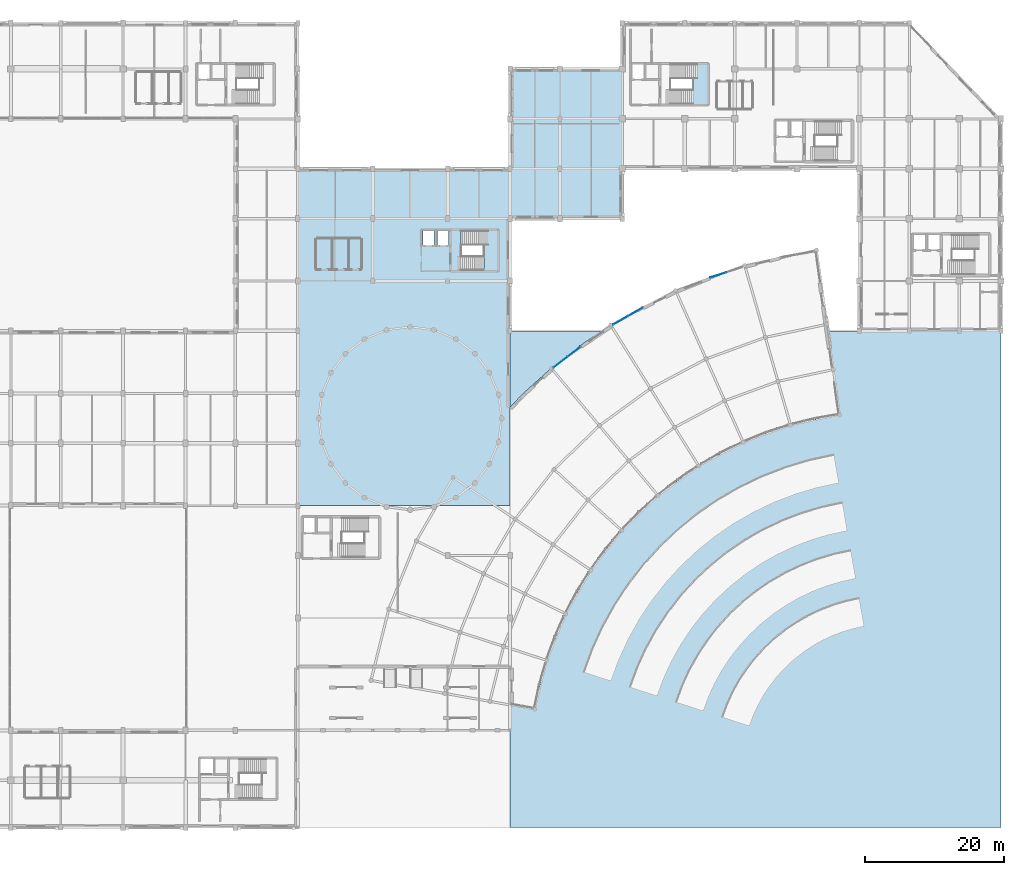
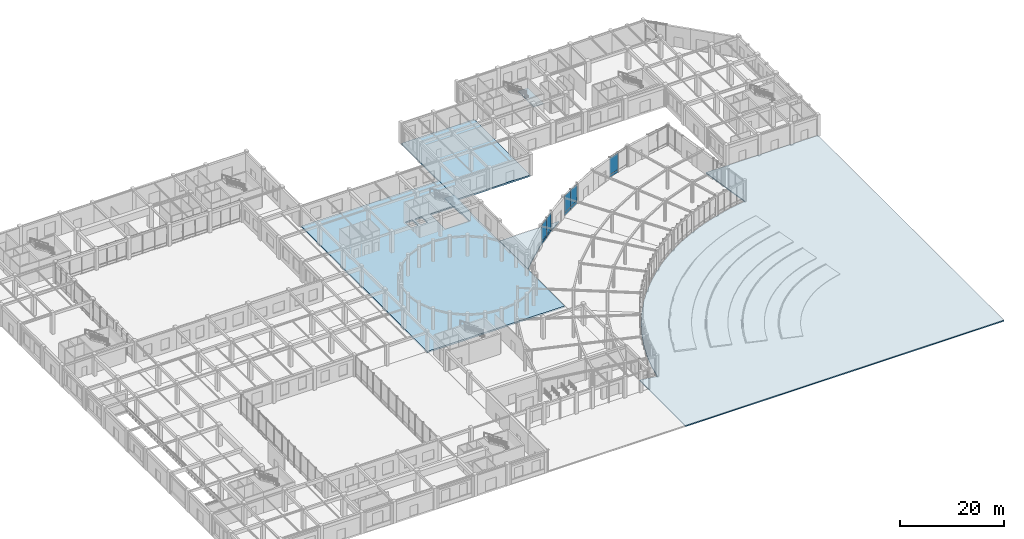
# One storey, part 42 of 64: 10 plates, 6 slabs, 5 elements without a shape of their own.
"""IFC4 building model written with IfcOpenShell, lengths in metres."""

from ifc_helpers import new_model, si_unit, direction, frame, frame_2d, origin, place, context, subcontext, project, spatial, polyline, rectangle, outline, extrude, material, layer, layer_set, type_object, element, aggregate, save


model = new_model("IFC4")

# Units and contexts
model_context = context("Model", 3, precision=1e-05, world=origin(), true_north=direction((0.0, 1.0)))
body_context = subcontext(model_context, "Body", "Model", "MODEL_VIEW")
ifc_project = project(units=[si_unit("LENGTHUNIT", "METRE"), si_unit("AREAUNIT", "SQUARE_METRE"), si_unit("VOLUMEUNIT", "CUBIC_METRE"), si_unit("PLANEANGLEUNIT", "RADIAN"), si_unit("MASSUNIT", "GRAM", prefix="KILO")], contexts=[model_context])

# Site, building, storey
site_placement = place(None, origin())
site = spatial("IfcSite", under=ifc_project, at=site_placement, CompositionType="ELEMENT")
building_placement = place(site_placement, origin())
building = spatial("IfcBuilding", under=site, at=building_placement, Name="Clarverna Civic Hall", CompositionType="ELEMENT")
storey_placement = place(building_placement, origin())
storey = spatial("IfcBuildingStorey", under=building, at=storey_placement, Name="L00", CompositionType="ELEMENT", Elevation=0.0)

# Curtain wall, plates
ifc_material_1 = material(Name="Anodised Bronze Architectural Aluminium", Category="aluminium")
curtain_wall_type = type_object("IfcCurtainWallType", Name="CW-03", PredefinedType="USERDEFINED", material=ifc_material_1)
curtain_wall_1_placement = place(storey_placement, origin())
curtain_wall_1 = element("IfcCurtainWall", 1, at=curtain_wall_1_placement, inside=storey, type_object=curtain_wall_type, Name="CW-03-001", ObjectType="UNITISED CURTAIN WALL", PredefinedType="USERDEFINED")
ifc_material_2 = material(Name="Solar-Control Argon Low-E Double Glazing", Category="glass")
ifc_layer_1 = layer(ifc_material_2, 0.031982421875)
ifc_layer_set_1 = layer_set([ifc_layer_1], Name="Solar-Control Argon Low-E Double Glazing")
plate_type_1 = type_object("IfcPlateType", Name="CWP-01", PredefinedType="CURTAIN_PANEL", material=ifc_layer_set_1)
plate_1_placement = place(storey_placement, frame((103.52587890625, 66.3369140625, 0.764892578125), z_axis=(0.0, 0.0, 1.0), x_axis=(0.787996937553, 0.615679158659, 0.0)))
plate_1 = element("IfcPlate", 2, at=plate_1_placement, type_object=plate_type_1, Name="CWP-01-001", PredefinedType="CURTAIN_PANEL", context=body_context, shape_type="SweptSolid", body=[
    extrude(rectangle(XDim=2.428466796875, YDim=0.031982421875, at=frame_2d((1.21435546875, 0.0))), origin(), (0.0, 0.0, 1.0), 3.905029296875),
])
plate_2_placement = place(storey_placement, frame((105.463134765625, 67.850341796875, 0.764892578125), z_axis=(0.0, 0.0, 1.0), x_axis=(0.787996937553, 0.615679158659, 0.0)))
plate_2 = element("IfcPlate", 3, at=plate_2_placement, type_object=plate_type_1, Name="CWP-01-002", PredefinedType="CURTAIN_PANEL", context=body_context, shape_type="SweptSolid", body=[
    extrude(rectangle(XDim=2.428466796875, YDim=0.031982421875, at=frame_2d((1.21435546875, 0.0))), origin(), (0.0, 0.0, 1.0), 3.905029296875),
])

curtain_wall_2_placement = place(storey_placement, origin())
curtain_wall_2 = element("IfcCurtainWall", 4, at=curtain_wall_2_placement, inside=storey, type_object=curtain_wall_type, Name="CW-03-002", ObjectType="UNITISED CURTAIN WALL", PredefinedType="USERDEFINED")
plate_3_placement = place(storey_placement, frame((112.107666015625, 72.510498046875, 0.764892578125), z_axis=(0.0, 0.0, 1.0), x_axis=(0.866055271361, 0.499948264271, 0.0)))
plate_3 = element("IfcPlate", 5, at=plate_3_placement, type_object=plate_type_1, Name="CWP-01-003", PredefinedType="CURTAIN_PANEL", context=body_context, shape_type="SweptSolid", body=[
    extrude(rectangle(XDim=2.433349609375, YDim=0.031982421875, at=frame_2d((1.216796875, 0.0))), origin(), (0.0, 0.0, 1.0), 3.905029296875),
])
plate_4_placement = place(storey_placement, frame((114.2412109375, 73.7421875, 0.764892578125), z_axis=(0.0, 0.0, 1.0), x_axis=(0.866055271361, 0.499948264271, 0.0)))
plate_4 = element("IfcPlate", 6, at=plate_4_placement, type_object=plate_type_1, Name="CWP-01-004", PredefinedType="CURTAIN_PANEL", context=body_context, shape_type="SweptSolid", body=[
    extrude(rectangle(XDim=2.433349609375, YDim=0.031982421875, at=frame_2d((1.216796875, 0.0))), origin(), (0.0, 0.0, 1.0), 3.905029296875),
])

# Curtain wall, plate
curtain_wall_3_placement = place(storey_placement, origin())
curtain_wall_3 = element("IfcCurtainWall", 7, at=curtain_wall_3_placement, inside=storey, type_object=curtain_wall_type, Name="CW-03-003", ObjectType="UNITISED CURTAIN WALL", PredefinedType="USERDEFINED")
plate_5_placement = place(storey_placement, frame((126.095458984375, 79.29833984375, 0.764892578125), z_axis=(0.0, 0.0, 1.0), x_axis=(0.951038576678, 0.309072201387, 0.0)))
plate_5 = element("IfcPlate", 8, at=plate_5_placement, type_object=plate_type_1, Name="CWP-01-005", PredefinedType="CURTAIN_PANEL", context=body_context, shape_type="SweptSolid", body=[
    extrude(rectangle(XDim=2.387939453125, YDim=0.031982421875, at=frame_2d((1.19384765625, 0.0))), origin(), (0.0, 0.0, 1.0), 3.905029296875),
])

# Plate
ifc_material_3 = material(Name="Insulated Anodised Bronze Spandrel Panel", Category="aluminium")
ifc_layer_2 = layer(ifc_material_3, 0.048095703125)
ifc_layer_set_2 = layer_set([ifc_layer_2], Name="Insulated Anodised Bronze Spandrel Panel")
plate_type_2 = type_object("IfcPlateType", Name="CWP-03", PredefinedType="CURTAIN_PANEL", material=ifc_layer_set_2)
plate_6_placement = place(storey_placement, frame((103.52587890625, 66.3369140625, 0.110107421875), z_axis=(0.0, 0.0, 1.0), x_axis=(0.787996937553, 0.615679158659, 0.0)))
plate_6 = element("IfcPlate", 9, at=plate_6_placement, type_object=plate_type_2, Name="CWP-03-003", PredefinedType="CURTAIN_PANEL", context=body_context, shape_type="SweptSolid", body=[
    extrude(rectangle(XDim=2.428466796875, YDim=0.048095703125, at=frame_2d((1.21435546875, 0.0))), origin(), (0.0, 0.0, 1.0), 0.625),
])

plate_7_placement = place(storey_placement, frame((105.463134765625, 67.850341796875, 0.110107421875), z_axis=(0.0, 0.0, 1.0), x_axis=(0.787996937553, 0.615679158659, 0.0)))
plate_7 = element("IfcPlate", 10, at=plate_7_placement, type_object=plate_type_2, Name="CWP-03-004", PredefinedType="CURTAIN_PANEL", context=body_context, shape_type="SweptSolid", body=[
    extrude(rectangle(XDim=2.428466796875, YDim=0.048095703125, at=frame_2d((1.21435546875, 0.0))), origin(), (0.0, 0.0, 1.0), 0.625),
])

aggregate(curtain_wall_1, [plate_6, plate_1, plate_7, plate_2])

plate_8_placement = place(storey_placement, frame((112.107666015625, 72.510498046875, 0.110107421875), z_axis=(0.0, 0.0, 1.0), x_axis=(0.866055271361, 0.499948264271, 0.0)))
plate_8 = element("IfcPlate", 11, at=plate_8_placement, type_object=plate_type_2, Name="CWP-03-005", PredefinedType="CURTAIN_PANEL", context=body_context, shape_type="SweptSolid", body=[
    extrude(rectangle(XDim=2.433349609375, YDim=0.048095703125, at=frame_2d((1.216796875, 0.0))), origin(), (0.0, 0.0, 1.0), 0.625),
])

plate_9_placement = place(storey_placement, frame((114.2412109375, 73.7421875, 0.110107421875), z_axis=(0.0, 0.0, 1.0), x_axis=(0.866055271361, 0.499948264271, 0.0)))
plate_9 = element("IfcPlate", 12, at=plate_9_placement, type_object=plate_type_2, Name="CWP-03-006", PredefinedType="CURTAIN_PANEL", context=body_context, shape_type="SweptSolid", body=[
    extrude(rectangle(XDim=2.433349609375, YDim=0.048095703125, at=frame_2d((1.216796875, 0.0))), origin(), (0.0, 0.0, 1.0), 0.625),
])

aggregate(curtain_wall_2, [plate_8, plate_3, plate_9, plate_4])

plate_10_placement = place(storey_placement, frame((126.095458984375, 79.29833984375, 0.110107421875), z_axis=(0.0, 0.0, 1.0), x_axis=(0.951038576678, 0.309072201387, 0.0)))
plate_10 = element("IfcPlate", 13, at=plate_10_placement, type_object=plate_type_2, Name="CWP-03-007", PredefinedType="CURTAIN_PANEL", context=body_context, shape_type="SweptSolid", body=[
    extrude(rectangle(XDim=2.387939453125, YDim=0.048095703125, at=frame_2d((1.19384765625, 0.0))), origin(), (0.0, 0.0, 1.0), 0.625),
])

aggregate(curtain_wall_3, [plate_10, plate_5])

# Slabs
ifc_material_4 = material(Name="Concrete C30/37", Category="concrete")
ifc_layer_3 = layer(ifc_material_4, 0.360107421875)
ifc_layer_set_3 = layer_set([ifc_layer_3], Name="Concrete C30/37")
slab_type_1 = type_object("IfcSlabType", Name="SL-FL1", PredefinedType="FLOOR", material=ifc_layer_set_3)
slab_1_placement = place(storey_placement, frame((0.0, 0.0, -0.360107421875)))
element("IfcSlab", 14, at=slab_1_placement, inside=storey, type_object=slab_type_1, Name="SL-FL1-002", PredefinedType="FLOOR", context=body_context, shape_type="SweptSolid", body=[
    extrude(outline(polyline([(97.175048828125, 95.0), (66.625, 95.0), (66.625, 46.39990234375), (97.175048828125, 46.39990234375), (97.175048828125, 95.0)]), holes=[polyline([(90.14990234375, 80.320068359375), (95.550048828125, 80.320068359375), (95.550048828125, 86.080078125), (90.14990234375, 86.080078125), (90.14990234375, 80.320068359375)]), polyline([(84.669921875, 83.93994140625), (86.22998046875, 83.93994140625), (86.22998046875, 86.10009765625), (84.669921875, 86.10009765625), (84.669921875, 83.93994140625)]), polyline([(86.77001953125, 83.93994140625), (88.330078125, 83.93994140625), (88.330078125, 86.10009765625), (86.77001953125, 86.10009765625), (86.77001953125, 83.93994140625)])]), origin(), (0.0, 0.0, 1.0), 0.360107421875),
])
slab_2_placement = place(storey_placement, frame((0.0, 0.0, -0.360107421875)))
element("IfcSlab", 15, at=slab_2_placement, inside=storey, type_object=slab_type_1, Name="SL-FL1-003", PredefinedType="FLOOR", context=body_context, shape_type="SweptSolid", body=[
    extrude(outline(polyline([(113.39990234375, 109.39990234375), (97.22509765625, 109.39990234375), (97.22509765625, 87.800048828125), (113.39990234375, 87.800048828125), (113.39990234375, 95.0), (113.39990234375, 109.39990234375)])), origin(), (0.0, 0.0, 1.0), 0.360107421875),
])

# Stair, slab
stair_type_1 = type_object("IfcStairType", Name="ST-U2", PredefinedType="HALF_TURN_STAIR", material=ifc_material_4)
stair_1_placement = place(storey_placement, origin())
stair_1 = element("IfcStair", 16, at=stair_1_placement, inside=storey, type_object=stair_type_1, Name="ST-U2:L00:0001", PredefinedType="HALF_TURN_STAIR")
ifc_layer_4 = layer(ifc_material_4, 0.199951171875)
ifc_layer_set_4 = layer_set([ifc_layer_4], Name="Concrete C30/37")
slab_type_2 = type_object("IfcSlabType", Name="SL-LD1", PredefinedType="LANDING", material=ifc_layer_set_4)
slab_3_placement = place(storey_placement, frame((0.0, 0.0, 2.35009765625)))
slab_3 = element("IfcSlab", 17, at=slab_3_placement, type_object=slab_type_2, Name="SL-LD1-018", PredefinedType="LANDING", context=body_context, shape_type="SweptSolid", body=[
    extrude(outline(polyline([(93.419921875, 80.219970703125), (95.64990234375, 80.219970703125), (95.64990234375, 86.179931640625), (93.419921875, 86.179931640625), (93.419921875, 80.219970703125)])), origin(), (0.0, 0.0, 1.0), 0.199951171875),
])
aggregate(stair_1, [slab_3])

stair_type_2 = type_object("IfcStairType", Name="ST-U1", PredefinedType="HALF_TURN_STAIR", material=ifc_material_4)
stair_2_placement = place(storey_placement, origin())
stair_2 = element("IfcStair", 18, at=stair_2_placement, inside=storey, type_object=stair_type_2, Name="ST-U1:L00:0013", PredefinedType="HALF_TURN_STAIR")
slab_4_placement = place(storey_placement, frame((0.0, 0.0, 2.35009765625)))
slab_4 = element("IfcSlab", 19, at=slab_4_placement, type_object=slab_type_2, Name="SL-LD1-039", PredefinedType="LANDING", context=body_context, shape_type="SweptSolid", body=[
    extrude(outline(polyline([(123.6201171875, 104.219970703125), (125.85009765625, 104.219970703125), (125.85009765625, 110.179931640625), (123.6201171875, 110.179931640625), (123.6201171875, 104.219970703125)])), origin(), (0.0, 0.0, 1.0), 0.199951171875),
])
aggregate(stair_2, [slab_4])

# Slabs
ifc_layer_5 = layer(ifc_material_4, 0.25)
ifc_layer_set_5 = layer_set([ifc_layer_5], Name="Concrete C30/37")
slab_type_3 = type_object("IfcSlabType", Name="SL-TR2", PredefinedType="FLOOR", material=ifc_layer_set_5)
slab_5_placement = place(storey_placement, frame((0.0, 0.0, -0.25)))
element("IfcSlab", 20, at=slab_5_placement, inside=storey, type_object=slab_type_3, Name="SL-TR2-004", PredefinedType="FLOOR", context=body_context, shape_type="SweptSolid", body=[
    extrude(outline(polyline([(168.0, 71.60009765625), (147.60009765625, 71.60009765625), (143.0615234375, 71.60009765625), (144.762939453125, 59.493896484375), (141.188720703125, 58.86376953125), (137.6669921875, 57.985595703125), (134.215087890625, 56.864013671875), (130.849609375, 55.50439453125), (127.58740234375, 53.913330078125), (124.444091796875, 52.098388671875), (121.435302734375, 50.06884765625), (118.574951171875, 47.834228515625), (115.877685546875, 45.40576171875), (113.3564453125, 42.794921875), (111.0234375, 40.014404296875), (108.889892578125, 37.077880859375), (106.966796875, 34.0), (105.2626953125, 30.79541015625), (103.786376953125, 27.4794921875), (102.545166015625, 24.06884765625), (101.544677734375, 20.579833984375), (100.7900390625, 17.02978515625), (97.22509765625, 17.658203125), (97.22509765625, 0.0), (168.0, 0.0), (168.0, 71.60009765625)])), origin(), (0.0, 0.0, 1.0), 0.25),
])
slab_6_placement = place(storey_placement, frame((0.0, 0.0, -0.25)))
element("IfcSlab", 21, at=slab_6_placement, inside=storey, type_object=slab_type_3, Name="SL-TR2-005", PredefinedType="FLOOR", context=body_context, shape_type="SweptSolid", body=[
    extrude(outline(polyline([(97.22509765625, 60.618408203125), (99.2060546875, 62.669921875), (103.148193359375, 66.219482421875), (107.328369140625, 69.4853515625), (110.46337890625, 71.60009765625), (97.22509765625, 71.60009765625), (97.22509765625, 60.618408203125)])), origin(), (0.0, 0.0, 1.0), 0.25),
])

save(model, "model.ifc")
